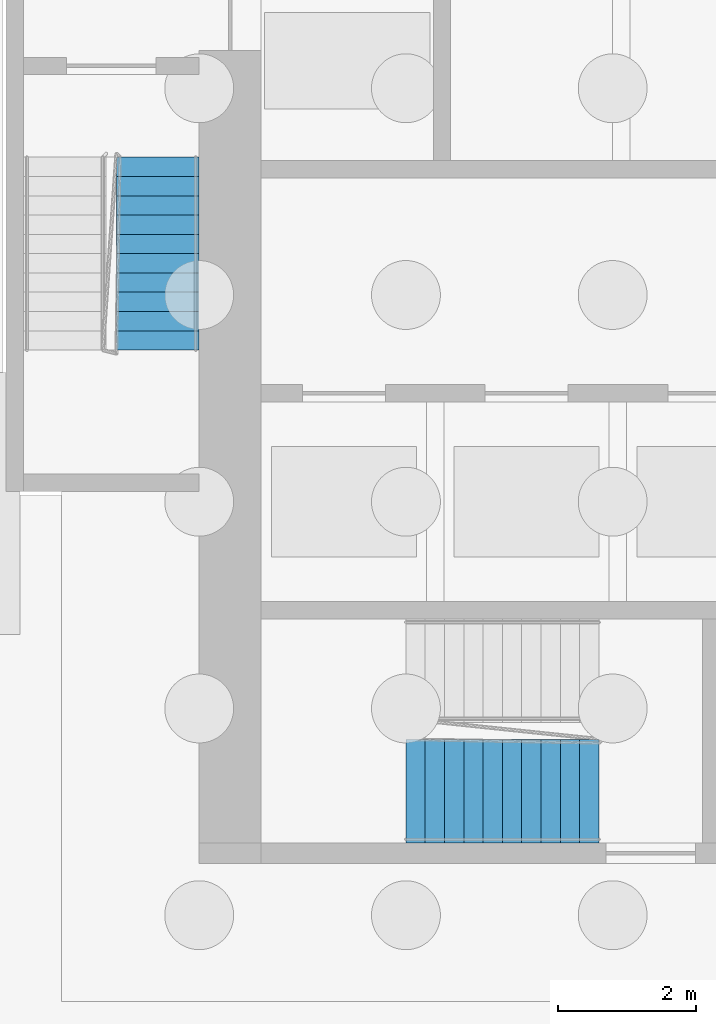
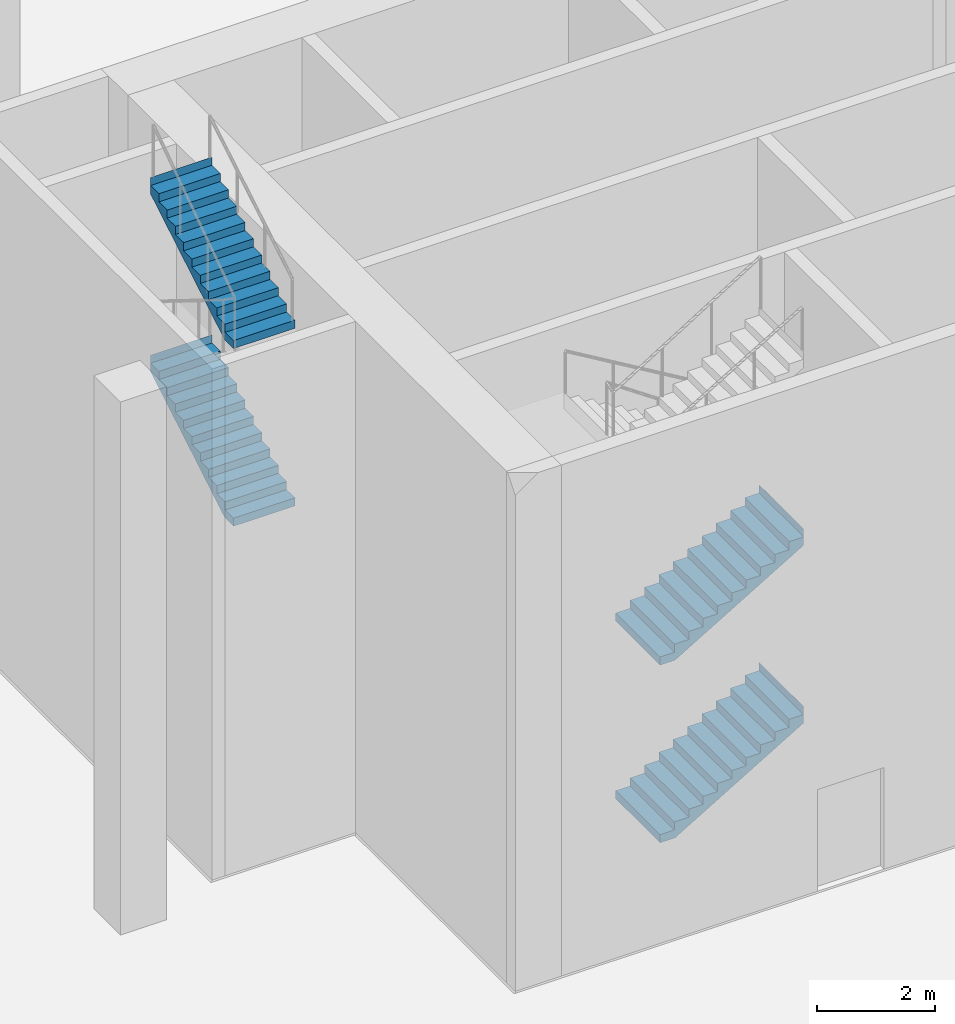
# One storey, part 11 of 26: 4 stair flights, 2 elements without a shape of their own.
"""IFC4 building model written with IfcOpenShell, lengths in metres."""

from ifc_helpers import new_model, si_unit, direction, frame, origin, place, context, subcontext, project, spatial, faceted_brep, material, type_object, element, aggregate, save


model = new_model("IFC4")

# Units and contexts
model_context = context("Model", 3, precision=1e-05, world=origin(), true_north=direction((0.0, 1.0)))
body_context = subcontext(model_context, "Body", "Model", "MODEL_VIEW")
ifc_project = project(units=[si_unit("LENGTHUNIT", "METRE"), si_unit("AREAUNIT", "SQUARE_METRE"), si_unit("VOLUMEUNIT", "CUBIC_METRE"), si_unit("PLANEANGLEUNIT", "RADIAN"), si_unit("MASSUNIT", "GRAM", prefix="KILO")], contexts=[model_context])

# Site, building, storey
site_placement = place(None, origin())
site = spatial("IfcSite", under=ifc_project, at=site_placement, CompositionType="ELEMENT")
building_placement = place(site_placement, origin())
building = spatial("IfcBuilding", under=site, at=building_placement, Name="Kajstack Hotel Tower", CompositionType="ELEMENT")
storey_placement = place(building_placement, origin())
storey = spatial("IfcBuildingStorey", under=building, at=storey_placement, Name="L00", CompositionType="ELEMENT", Elevation=0.0)

# Stair, stair flights
ifc_material = material(Name="Concrete C40/50", Category="concrete")
stair_type_1 = type_object("IfcStairType", Name="Exit stair 1200", PredefinedType="HALF_TURN_STAIR", material=ifc_material)
stair_1_placement = place(storey_placement, origin())
stair_1 = element("IfcStair", 1, at=stair_1_placement, inside=storey, type_object=stair_type_1, Name="L00 stair W1", PredefinedType="HALF_TURN_STAIR")
stair_flight_type_1 = type_object("IfcStairFlightType", Name="Exit stair flight 1200", PredefinedType="STRAIGHT", material=ifc_material)
stair_flight_1_placement = place(storey_placement, frame((-32.10009765625, -8.050048828125, 5.5), z_axis=(0.0, 0.0, 1.0), x_axis=(0.0, 1.0, 0.0)))
stair_flight_1 = element("IfcStairFlight", 2, at=stair_flight_1_placement, type_object=stair_flight_type_1, Name="W1 flight 4", NumberOfRisers=11, NumberOfTreads=10, PredefinedType="STRAIGHT", RiserHeight=0.166666667, TreadLength=0.28, context=body_context, shape_type="Brep", body=[
    faceted_brep([(0.29345703125, -0.60009765625, 0.0), (2.800537109375, -0.60009765625, 1.4921875), (2.800537109375, -0.60009765625, 1.833251953125), (2.800048828125, -0.60009765625, 1.833251953125), (2.800048828125, -0.60009765625, 1.666748046875), (2.52001953125, -0.60009765625, 1.666748046875), (2.52001953125, -0.60009765625, 1.5), (2.239990234375, -0.60009765625, 1.5), (2.239990234375, -0.60009765625, 1.333251953125), (1.9599609375, -0.60009765625, 1.333251953125), (1.9599609375, -0.60009765625, 1.166748046875), (1.679931640625, -0.60009765625, 1.166748046875), (1.679931640625, -0.60009765625, 1.0), (1.39990234375, -0.60009765625, 1.0), (1.39990234375, -0.60009765625, 0.833251953125), (1.1201171875, -0.60009765625, 0.833251953125), (1.1201171875, -0.60009765625, 0.666748046875), (0.840087890625, -0.60009765625, 0.666748046875), (0.840087890625, -0.60009765625, 0.5), (0.56005859375, -0.60009765625, 0.5), (0.56005859375, -0.60009765625, 0.333251953125), (0.280029296875, -0.60009765625, 0.333251953125), (0.280029296875, -0.60009765625, 0.166748046875), (-0.00048828125, -0.60009765625, 0.166748046875), (-0.00048828125, -0.60009765625, 0.0), (-0.00048828125, 0.60009765625, 0.0), (-0.00048828125, 0.60009765625, 0.166748046875), (0.280029296875, 0.60009765625, 0.166748046875), (0.280029296875, 0.60009765625, 0.333251953125), (0.56005859375, 0.60009765625, 0.333251953125), (0.56005859375, 0.60009765625, 0.5), (0.840087890625, 0.60009765625, 0.5), (0.840087890625, 0.60009765625, 0.666748046875), (1.1201171875, 0.60009765625, 0.666748046875), (1.1201171875, 0.60009765625, 0.833251953125), (1.39990234375, 0.60009765625, 0.833251953125), (1.39990234375, 0.60009765625, 1.0), (1.679931640625, 0.60009765625, 1.0), (1.679931640625, 0.60009765625, 1.166748046875), (1.9599609375, 0.60009765625, 1.166748046875), (1.9599609375, 0.60009765625, 1.333251953125), (2.239990234375, 0.60009765625, 1.333251953125), (2.239990234375, 0.60009765625, 1.5), (2.52001953125, 0.60009765625, 1.5), (2.52001953125, 0.60009765625, 1.666748046875), (2.800048828125, 0.60009765625, 1.666748046875), (2.800048828125, 0.60009765625, 1.833251953125), (2.800537109375, 0.60009765625, 1.833251953125), (2.800537109375, 0.60009765625, 1.4921875), (0.29345703125, 0.60009765625, 0.0), (-0.00048828125, -0.300048828125, 0.166748046875), (-0.00048828125, 0.0, 0.166748046875), (-0.00048828125, 0.300048828125, 0.166748046875), (-0.00048828125, 0.300048828125, 0.0), (-0.00048828125, 0.0, 0.0), (-0.00048828125, -0.300048828125, 0.0), (0.280029296875, -0.300048828125, 0.166748046875), (0.280029296875, 0.0, 0.166748046875), (0.280029296875, 0.300048828125, 0.166748046875), (0.280029296875, -0.300048828125, 0.333251953125), (0.280029296875, 0.0, 0.333251953125), (0.280029296875, 0.300048828125, 0.333251953125), (0.56005859375, -0.300048828125, 0.333251953125), (0.56005859375, 0.0, 0.333251953125), (0.56005859375, 0.300048828125, 0.333251953125), (0.56005859375, -0.300048828125, 0.5), (0.56005859375, 0.0, 0.5), (0.56005859375, 0.300048828125, 0.5), (0.840087890625, -0.300048828125, 0.5), (0.840087890625, 0.0, 0.5), (0.840087890625, 0.300048828125, 0.5), (0.840087890625, -0.300048828125, 0.666748046875), (0.840087890625, 0.0, 0.666748046875), (0.840087890625, 0.300048828125, 0.666748046875), (1.1201171875, -0.300048828125, 0.666748046875), (1.1201171875, 0.0, 0.666748046875), (1.1201171875, 0.300048828125, 0.666748046875), (1.1201171875, -0.300048828125, 0.833251953125), (1.1201171875, 0.0, 0.833251953125), (1.1201171875, 0.300048828125, 0.833251953125), (1.39990234375, -0.300048828125, 0.833251953125), (1.39990234375, 0.0, 0.833251953125), (1.39990234375, 0.300048828125, 0.833251953125), (1.39990234375, -0.300048828125, 1.0), (1.39990234375, 0.0, 1.0), (1.39990234375, 0.300048828125, 1.0), (1.679931640625, -0.300048828125, 1.0), (1.679931640625, 0.0, 1.0), (1.679931640625, 0.300048828125, 1.0), (1.679931640625, -0.300048828125, 1.166748046875), (1.679931640625, 0.0, 1.166748046875), (1.679931640625, 0.300048828125, 1.166748046875), (1.9599609375, -0.300048828125, 1.166748046875), (1.9599609375, 0.0, 1.166748046875), (1.9599609375, 0.300048828125, 1.166748046875), (1.9599609375, -0.300048828125, 1.333251953125), (1.9599609375, 0.0, 1.333251953125), (1.9599609375, 0.300048828125, 1.333251953125), (2.239990234375, -0.300048828125, 1.333251953125), (2.239990234375, 0.0, 1.333251953125), (2.239990234375, 0.300048828125, 1.333251953125), (2.239990234375, -0.300048828125, 1.5), (2.239990234375, 0.0, 1.5), (2.239990234375, 0.300048828125, 1.5), (2.52001953125, -0.300048828125, 1.5), (2.52001953125, 0.0, 1.5), (2.52001953125, 0.300048828125, 1.5), (2.52001953125, -0.300048828125, 1.666748046875), (2.52001953125, 0.0, 1.666748046875), (2.52001953125, 0.300048828125, 1.666748046875), (2.800048828125, -0.300048828125, 1.666748046875), (2.800048828125, 0.0, 1.666748046875), (2.800048828125, 0.300048828125, 1.666748046875), (2.800048828125, -0.300048828125, 1.833251953125), (2.800048828125, 0.0, 1.833251953125), (2.800048828125, 0.300048828125, 1.833251953125), (2.800537109375, -0.300048828125, 1.833251953125), (2.800537109375, 0.0, 1.833251953125), (2.800537109375, 0.300048828125, 1.833251953125), (2.800537109375, -0.300048828125, 1.4921875), (2.800537109375, 0.0, 1.4921875), (2.800537109375, 0.300048828125, 1.4921875), (0.29345703125, -0.300048828125, 0.0), (0.29345703125, 0.0, 0.0), (0.29345703125, 0.300048828125, 0.0)], [[[0, 1, 2, 3, 4, 5, 6, 7, 8, 9, 10, 11, 12, 13, 14, 15, 16, 17, 18, 19, 20, 21, 22, 23, 24]], [[25, 26, 27, 28, 29, 30, 31, 32, 33, 34, 35, 36, 37, 38, 39, 40, 41, 42, 43, 44, 45, 46, 47, 48, 49]], [[23, 50, 51, 52, 26, 25, 53, 54, 55, 24]], [[22, 56, 57, 58, 27, 26, 52, 51, 50, 23]], [[21, 59, 60, 61, 28, 27, 58, 57, 56, 22]], [[20, 62, 63, 64, 29, 28, 61, 60, 59, 21]], [[19, 65, 66, 67, 30, 29, 64, 63, 62, 20]], [[18, 68, 69, 70, 31, 30, 67, 66, 65, 19]], [[17, 71, 72, 73, 32, 31, 70, 69, 68, 18]], [[16, 74, 75, 76, 33, 32, 73, 72, 71, 17]], [[15, 77, 78, 79, 34, 33, 76, 75, 74, 16]], [[14, 80, 81, 82, 35, 34, 79, 78, 77, 15]], [[13, 83, 84, 85, 36, 35, 82, 81, 80, 14]], [[12, 86, 87, 88, 37, 36, 85, 84, 83, 13]], [[11, 89, 90, 91, 38, 37, 88, 87, 86, 12]], [[10, 92, 93, 94, 39, 38, 91, 90, 89, 11]], [[9, 95, 96, 97, 40, 39, 94, 93, 92, 10]], [[8, 98, 99, 100, 41, 40, 97, 96, 95, 9]], [[7, 101, 102, 103, 42, 41, 100, 99, 98, 8]], [[6, 104, 105, 106, 43, 42, 103, 102, 101, 7]], [[5, 107, 108, 109, 44, 43, 106, 105, 104, 6]], [[4, 110, 111, 112, 45, 44, 109, 108, 107, 5]], [[3, 113, 114, 115, 46, 45, 112, 111, 110, 4]], [[2, 116, 117, 118, 47, 46, 115, 114, 113, 3]], [[1, 119, 120, 121, 48, 47, 118, 117, 116, 2]], [[0, 122, 123, 124, 49, 48, 121, 120, 119, 1]], [[24, 55, 54, 53, 25, 49, 124, 123, 122, 0]]]),
])
stair_flight_2_placement = place(storey_placement, frame((-32.10009765625, -8.050048828125, 9.166748046875), z_axis=(0.0, 0.0, 1.0), x_axis=(0.0, 1.0, 0.0)))
stair_flight_2 = element("IfcStairFlight", 3, at=stair_flight_2_placement, type_object=stair_flight_type_1, Name="W1 flight 6", NumberOfRisers=11, NumberOfTreads=10, PredefinedType="STRAIGHT", RiserHeight=0.166666667, TreadLength=0.28, context=body_context, shape_type="Brep", body=[
    faceted_brep([(0.29345703125, -0.60009765625, 0.0), (2.800537109375, -0.60009765625, 1.4921875), (2.800537109375, -0.60009765625, 1.833251953125), (2.800048828125, -0.60009765625, 1.833251953125), (2.800048828125, -0.60009765625, 1.666748046875), (2.52001953125, -0.60009765625, 1.666748046875), (2.52001953125, -0.60009765625, 1.5), (2.239990234375, -0.60009765625, 1.5), (2.239990234375, -0.60009765625, 1.333251953125), (1.9599609375, -0.60009765625, 1.333251953125), (1.9599609375, -0.60009765625, 1.166748046875), (1.679931640625, -0.60009765625, 1.166748046875), (1.679931640625, -0.60009765625, 1.0), (1.39990234375, -0.60009765625, 1.0), (1.39990234375, -0.60009765625, 0.833251953125), (1.1201171875, -0.60009765625, 0.833251953125), (1.1201171875, -0.60009765625, 0.666748046875), (0.840087890625, -0.60009765625, 0.666748046875), (0.840087890625, -0.60009765625, 0.5), (0.56005859375, -0.60009765625, 0.5), (0.56005859375, -0.60009765625, 0.333251953125), (0.280029296875, -0.60009765625, 0.333251953125), (0.280029296875, -0.60009765625, 0.166748046875), (-0.00048828125, -0.60009765625, 0.166748046875), (-0.00048828125, -0.60009765625, 0.0), (-0.00048828125, 0.60009765625, 0.0), (-0.00048828125, 0.60009765625, 0.166748046875), (0.280029296875, 0.60009765625, 0.166748046875), (0.280029296875, 0.60009765625, 0.333251953125), (0.56005859375, 0.60009765625, 0.333251953125), (0.56005859375, 0.60009765625, 0.5), (0.840087890625, 0.60009765625, 0.5), (0.840087890625, 0.60009765625, 0.666748046875), (1.1201171875, 0.60009765625, 0.666748046875), (1.1201171875, 0.60009765625, 0.833251953125), (1.39990234375, 0.60009765625, 0.833251953125), (1.39990234375, 0.60009765625, 1.0), (1.679931640625, 0.60009765625, 1.0), (1.679931640625, 0.60009765625, 1.166748046875), (1.9599609375, 0.60009765625, 1.166748046875), (1.9599609375, 0.60009765625, 1.333251953125), (2.239990234375, 0.60009765625, 1.333251953125), (2.239990234375, 0.60009765625, 1.5), (2.52001953125, 0.60009765625, 1.5), (2.52001953125, 0.60009765625, 1.666748046875), (2.800048828125, 0.60009765625, 1.666748046875), (2.800048828125, 0.60009765625, 1.833251953125), (2.800537109375, 0.60009765625, 1.833251953125), (2.800537109375, 0.60009765625, 1.4921875), (0.29345703125, 0.60009765625, 0.0), (-0.00048828125, -0.300048828125, 0.166748046875), (-0.00048828125, 0.0, 0.166748046875), (-0.00048828125, 0.300048828125, 0.166748046875), (-0.00048828125, 0.300048828125, 0.0), (-0.00048828125, 0.0, 0.0), (-0.00048828125, -0.300048828125, 0.0), (0.280029296875, -0.300048828125, 0.166748046875), (0.280029296875, 0.0, 0.166748046875), (0.280029296875, 0.300048828125, 0.166748046875), (0.280029296875, -0.300048828125, 0.333251953125), (0.280029296875, 0.0, 0.333251953125), (0.280029296875, 0.300048828125, 0.333251953125), (0.56005859375, -0.300048828125, 0.333251953125), (0.56005859375, 0.0, 0.333251953125), (0.56005859375, 0.300048828125, 0.333251953125), (0.56005859375, -0.300048828125, 0.5), (0.56005859375, 0.0, 0.5), (0.56005859375, 0.300048828125, 0.5), (0.840087890625, -0.300048828125, 0.5), (0.840087890625, 0.0, 0.5), (0.840087890625, 0.300048828125, 0.5), (0.840087890625, -0.300048828125, 0.666748046875), (0.840087890625, 0.0, 0.666748046875), (0.840087890625, 0.300048828125, 0.666748046875), (1.1201171875, -0.300048828125, 0.666748046875), (1.1201171875, 0.0, 0.666748046875), (1.1201171875, 0.300048828125, 0.666748046875), (1.1201171875, -0.300048828125, 0.833251953125), (1.1201171875, 0.0, 0.833251953125), (1.1201171875, 0.300048828125, 0.833251953125), (1.39990234375, -0.300048828125, 0.833251953125), (1.39990234375, 0.0, 0.833251953125), (1.39990234375, 0.300048828125, 0.833251953125), (1.39990234375, -0.300048828125, 1.0), (1.39990234375, 0.0, 1.0), (1.39990234375, 0.300048828125, 1.0), (1.679931640625, -0.300048828125, 1.0), (1.679931640625, 0.0, 1.0), (1.679931640625, 0.300048828125, 1.0), (1.679931640625, -0.300048828125, 1.166748046875), (1.679931640625, 0.0, 1.166748046875), (1.679931640625, 0.300048828125, 1.166748046875), (1.9599609375, -0.300048828125, 1.166748046875), (1.9599609375, 0.0, 1.166748046875), (1.9599609375, 0.300048828125, 1.166748046875), (1.9599609375, -0.300048828125, 1.333251953125), (1.9599609375, 0.0, 1.333251953125), (1.9599609375, 0.300048828125, 1.333251953125), (2.239990234375, -0.300048828125, 1.333251953125), (2.239990234375, 0.0, 1.333251953125), (2.239990234375, 0.300048828125, 1.333251953125), (2.239990234375, -0.300048828125, 1.5), (2.239990234375, 0.0, 1.5), (2.239990234375, 0.300048828125, 1.5), (2.52001953125, -0.300048828125, 1.5), (2.52001953125, 0.0, 1.5), (2.52001953125, 0.300048828125, 1.5), (2.52001953125, -0.300048828125, 1.666748046875), (2.52001953125, 0.0, 1.666748046875), (2.52001953125, 0.300048828125, 1.666748046875), (2.800048828125, -0.300048828125, 1.666748046875), (2.800048828125, 0.0, 1.666748046875), (2.800048828125, 0.300048828125, 1.666748046875), (2.800048828125, -0.300048828125, 1.833251953125), (2.800048828125, 0.0, 1.833251953125), (2.800048828125, 0.300048828125, 1.833251953125), (2.800537109375, -0.300048828125, 1.833251953125), (2.800537109375, 0.0, 1.833251953125), (2.800537109375, 0.300048828125, 1.833251953125), (2.800537109375, -0.300048828125, 1.4921875), (2.800537109375, 0.0, 1.4921875), (2.800537109375, 0.300048828125, 1.4921875), (0.29345703125, -0.300048828125, 0.0), (0.29345703125, 0.0, 0.0), (0.29345703125, 0.300048828125, 0.0)], [[[0, 1, 2, 3, 4, 5, 6, 7, 8, 9, 10, 11, 12, 13, 14, 15, 16, 17, 18, 19, 20, 21, 22, 23, 24]], [[25, 26, 27, 28, 29, 30, 31, 32, 33, 34, 35, 36, 37, 38, 39, 40, 41, 42, 43, 44, 45, 46, 47, 48, 49]], [[23, 50, 51, 52, 26, 25, 53, 54, 55, 24]], [[22, 56, 57, 58, 27, 26, 52, 51, 50, 23]], [[21, 59, 60, 61, 28, 27, 58, 57, 56, 22]], [[20, 62, 63, 64, 29, 28, 61, 60, 59, 21]], [[19, 65, 66, 67, 30, 29, 64, 63, 62, 20]], [[18, 68, 69, 70, 31, 30, 67, 66, 65, 19]], [[17, 71, 72, 73, 32, 31, 70, 69, 68, 18]], [[16, 74, 75, 76, 33, 32, 73, 72, 71, 17]], [[15, 77, 78, 79, 34, 33, 76, 75, 74, 16]], [[14, 80, 81, 82, 35, 34, 79, 78, 77, 15]], [[13, 83, 84, 85, 36, 35, 82, 81, 80, 14]], [[12, 86, 87, 88, 37, 36, 85, 84, 83, 13]], [[11, 89, 90, 91, 38, 37, 88, 87, 86, 12]], [[10, 92, 93, 94, 39, 38, 91, 90, 89, 11]], [[9, 95, 96, 97, 40, 39, 94, 93, 92, 10]], [[8, 98, 99, 100, 41, 40, 97, 96, 95, 9]], [[7, 101, 102, 103, 42, 41, 100, 99, 98, 8]], [[6, 104, 105, 106, 43, 42, 103, 102, 101, 7]], [[5, 107, 108, 109, 44, 43, 106, 105, 104, 6]], [[4, 110, 111, 112, 45, 44, 109, 108, 107, 5]], [[3, 113, 114, 115, 46, 45, 112, 111, 110, 4]], [[2, 116, 117, 118, 47, 46, 115, 114, 113, 3]], [[1, 119, 120, 121, 48, 47, 118, 117, 116, 2]], [[0, 122, 123, 124, 49, 48, 121, 120, 119, 1]], [[24, 55, 54, 53, 25, 49, 124, 123, 122, 0]]]),
])
aggregate(stair_1, [stair_flight_1, stair_flight_2])

stair_type_2 = type_object("IfcStairType", Name="Exit stair 1500", PredefinedType="HALF_TURN_STAIR", material=ifc_material)
stair_2_placement = place(storey_placement, origin())
stair_2 = element("IfcStair", 4, at=stair_2_placement, inside=storey, type_object=stair_type_2, Name="L00 stair W3", PredefinedType="HALF_TURN_STAIR")
stair_flight_type_2 = type_object("IfcStairFlightType", Name="Exit stair flight 1500", PredefinedType="STRAIGHT", material=ifc_material)
stair_flight_3_placement = place(storey_placement, frame((-28.5, -14.449951171875, 1.833251953125), z_axis=(0.0, 0.0, 1.0), x_axis=(1.0, 0.0, 0.0)))
stair_flight_3 = element("IfcStairFlight", 5, at=stair_flight_3_placement, type_object=stair_flight_type_2, Name="W3 flight 2", NumberOfRisers=11, NumberOfTreads=10, PredefinedType="STRAIGHT", RiserHeight=0.166666667, TreadLength=0.28, context=body_context, shape_type="Brep", body=[
    faceted_brep([(0.29345703125, -0.75, 0.0), (2.800537109375, -0.75, 1.4921875), (2.800537109375, -0.75, 1.833251953125), (2.800048828125, -0.75, 1.833251953125), (2.800048828125, -0.75, 1.666748046875), (2.52001953125, -0.75, 1.666748046875), (2.52001953125, -0.75, 1.5), (2.239990234375, -0.75, 1.5), (2.239990234375, -0.75, 1.333251953125), (1.9599609375, -0.75, 1.333251953125), (1.9599609375, -0.75, 1.166748046875), (1.679931640625, -0.75, 1.166748046875), (1.679931640625, -0.75, 1.0), (1.39990234375, -0.75, 1.0), (1.39990234375, -0.75, 0.833251953125), (1.1201171875, -0.75, 0.833251953125), (1.1201171875, -0.75, 0.666748046875), (0.840087890625, -0.75, 0.666748046875), (0.840087890625, -0.75, 0.5), (0.56005859375, -0.75, 0.5), (0.56005859375, -0.75, 0.333251953125), (0.280029296875, -0.75, 0.333251953125), (0.280029296875, -0.75, 0.166748046875), (-0.00048828125, -0.75, 0.166748046875), (-0.00048828125, -0.75, 0.0), (-0.00048828125, 0.75, 0.0), (-0.00048828125, 0.75, 0.166748046875), (0.280029296875, 0.75, 0.166748046875), (0.280029296875, 0.75, 0.333251953125), (0.56005859375, 0.75, 0.333251953125), (0.56005859375, 0.75, 0.5), (0.840087890625, 0.75, 0.5), (0.840087890625, 0.75, 0.666748046875), (1.1201171875, 0.75, 0.666748046875), (1.1201171875, 0.75, 0.833251953125), (1.39990234375, 0.75, 0.833251953125), (1.39990234375, 0.75, 1.0), (1.679931640625, 0.75, 1.0), (1.679931640625, 0.75, 1.166748046875), (1.9599609375, 0.75, 1.166748046875), (1.9599609375, 0.75, 1.333251953125), (2.239990234375, 0.75, 1.333251953125), (2.239990234375, 0.75, 1.5), (2.52001953125, 0.75, 1.5), (2.52001953125, 0.75, 1.666748046875), (2.800048828125, 0.75, 1.666748046875), (2.800048828125, 0.75, 1.833251953125), (2.800537109375, 0.75, 1.833251953125), (2.800537109375, 0.75, 1.4921875), (0.29345703125, 0.75, 0.0), (-0.00048828125, -0.375, 0.166748046875), (-0.00048828125, 0.0, 0.166748046875), (-0.00048828125, 0.375, 0.166748046875), (-0.00048828125, 0.375, 0.0), (-0.00048828125, 0.0, 0.0), (-0.00048828125, -0.375, 0.0), (0.280029296875, -0.375, 0.166748046875), (0.280029296875, 0.0, 0.166748046875), (0.280029296875, 0.375, 0.166748046875), (0.280029296875, -0.375, 0.333251953125), (0.280029296875, 0.0, 0.333251953125), (0.280029296875, 0.375, 0.333251953125), (0.56005859375, -0.375, 0.333251953125), (0.56005859375, 0.0, 0.333251953125), (0.56005859375, 0.375, 0.333251953125), (0.56005859375, -0.375, 0.5), (0.56005859375, 0.0, 0.5), (0.56005859375, 0.375, 0.5), (0.840087890625, -0.375, 0.5), (0.840087890625, 0.0, 0.5), (0.840087890625, 0.375, 0.5), (0.840087890625, -0.375, 0.666748046875), (0.840087890625, 0.0, 0.666748046875), (0.840087890625, 0.375, 0.666748046875), (1.1201171875, -0.375, 0.666748046875), (1.1201171875, 0.0, 0.666748046875), (1.1201171875, 0.375, 0.666748046875), (1.1201171875, -0.375, 0.833251953125), (1.1201171875, 0.0, 0.833251953125), (1.1201171875, 0.375, 0.833251953125), (1.39990234375, -0.375, 0.833251953125), (1.39990234375, 0.0, 0.833251953125), (1.39990234375, 0.375, 0.833251953125), (1.39990234375, -0.375, 1.0), (1.39990234375, 0.0, 1.0), (1.39990234375, 0.375, 1.0), (1.679931640625, -0.375, 1.0), (1.679931640625, 0.0, 1.0), (1.679931640625, 0.375, 1.0), (1.679931640625, -0.375, 1.166748046875), (1.679931640625, 0.0, 1.166748046875), (1.679931640625, 0.375, 1.166748046875), (1.9599609375, -0.375, 1.166748046875), (1.9599609375, 0.0, 1.166748046875), (1.9599609375, 0.375, 1.166748046875), (1.9599609375, -0.375, 1.333251953125), (1.9599609375, 0.0, 1.333251953125), (1.9599609375, 0.375, 1.333251953125), (2.239990234375, -0.375, 1.333251953125), (2.239990234375, 0.0, 1.333251953125), (2.239990234375, 0.375, 1.333251953125), (2.239990234375, -0.375, 1.5), (2.239990234375, 0.0, 1.5), (2.239990234375, 0.375, 1.5), (2.52001953125, -0.375, 1.5), (2.52001953125, 0.0, 1.5), (2.52001953125, 0.375, 1.5), (2.52001953125, -0.375, 1.666748046875), (2.52001953125, 0.0, 1.666748046875), (2.52001953125, 0.375, 1.666748046875), (2.800048828125, -0.375, 1.666748046875), (2.800048828125, 0.0, 1.666748046875), (2.800048828125, 0.375, 1.666748046875), (2.800048828125, -0.375, 1.833251953125), (2.800048828125, 0.0, 1.833251953125), (2.800048828125, 0.375, 1.833251953125), (2.800537109375, -0.375, 1.833251953125), (2.800537109375, 0.0, 1.833251953125), (2.800537109375, 0.375, 1.833251953125), (2.800537109375, -0.375, 1.4921875), (2.800537109375, 0.0, 1.4921875), (2.800537109375, 0.375, 1.4921875), (0.29345703125, -0.375, 0.0), (0.29345703125, 0.0, 0.0), (0.29345703125, 0.375, 0.0)], [[[0, 1, 2, 3, 4, 5, 6, 7, 8, 9, 10, 11, 12, 13, 14, 15, 16, 17, 18, 19, 20, 21, 22, 23, 24]], [[25, 26, 27, 28, 29, 30, 31, 32, 33, 34, 35, 36, 37, 38, 39, 40, 41, 42, 43, 44, 45, 46, 47, 48, 49]], [[23, 50, 51, 52, 26, 25, 53, 54, 55, 24]], [[22, 56, 57, 58, 27, 26, 52, 51, 50, 23]], [[21, 59, 60, 61, 28, 27, 58, 57, 56, 22]], [[20, 62, 63, 64, 29, 28, 61, 60, 59, 21]], [[19, 65, 66, 67, 30, 29, 64, 63, 62, 20]], [[18, 68, 69, 70, 31, 30, 67, 66, 65, 19]], [[17, 71, 72, 73, 32, 31, 70, 69, 68, 18]], [[16, 74, 75, 76, 33, 32, 73, 72, 71, 17]], [[15, 77, 78, 79, 34, 33, 76, 75, 74, 16]], [[14, 80, 81, 82, 35, 34, 79, 78, 77, 15]], [[13, 83, 84, 85, 36, 35, 82, 81, 80, 14]], [[12, 86, 87, 88, 37, 36, 85, 84, 83, 13]], [[11, 89, 90, 91, 38, 37, 88, 87, 86, 12]], [[10, 92, 93, 94, 39, 38, 91, 90, 89, 11]], [[9, 95, 96, 97, 40, 39, 94, 93, 92, 10]], [[8, 98, 99, 100, 41, 40, 97, 96, 95, 9]], [[7, 101, 102, 103, 42, 41, 100, 99, 98, 8]], [[6, 104, 105, 106, 43, 42, 103, 102, 101, 7]], [[5, 107, 108, 109, 44, 43, 106, 105, 104, 6]], [[4, 110, 111, 112, 45, 44, 109, 108, 107, 5]], [[3, 113, 114, 115, 46, 45, 112, 111, 110, 4]], [[2, 116, 117, 118, 47, 46, 115, 114, 113, 3]], [[1, 119, 120, 121, 48, 47, 118, 117, 116, 2]], [[0, 122, 123, 124, 49, 48, 121, 120, 119, 1]], [[24, 55, 54, 53, 25, 49, 124, 123, 122, 0]]]),
])
stair_flight_4_placement = place(storey_placement, frame((-28.5, -14.449951171875, 5.5), z_axis=(0.0, 0.0, 1.0), x_axis=(1.0, 0.0, 0.0)))
stair_flight_4 = element("IfcStairFlight", 6, at=stair_flight_4_placement, type_object=stair_flight_type_2, Name="W3 flight 4", NumberOfRisers=11, NumberOfTreads=10, PredefinedType="STRAIGHT", RiserHeight=0.166666667, TreadLength=0.28, context=body_context, shape_type="Brep", body=[
    faceted_brep([(0.29345703125, -0.75, 0.0), (2.800537109375, -0.75, 1.4921875), (2.800537109375, -0.75, 1.833251953125), (2.800048828125, -0.75, 1.833251953125), (2.800048828125, -0.75, 1.666748046875), (2.52001953125, -0.75, 1.666748046875), (2.52001953125, -0.75, 1.5), (2.239990234375, -0.75, 1.5), (2.239990234375, -0.75, 1.333251953125), (1.9599609375, -0.75, 1.333251953125), (1.9599609375, -0.75, 1.166748046875), (1.679931640625, -0.75, 1.166748046875), (1.679931640625, -0.75, 1.0), (1.39990234375, -0.75, 1.0), (1.39990234375, -0.75, 0.833251953125), (1.1201171875, -0.75, 0.833251953125), (1.1201171875, -0.75, 0.666748046875), (0.840087890625, -0.75, 0.666748046875), (0.840087890625, -0.75, 0.5), (0.56005859375, -0.75, 0.5), (0.56005859375, -0.75, 0.333251953125), (0.280029296875, -0.75, 0.333251953125), (0.280029296875, -0.75, 0.166748046875), (-0.00048828125, -0.75, 0.166748046875), (-0.00048828125, -0.75, 0.0), (-0.00048828125, 0.75, 0.0), (-0.00048828125, 0.75, 0.166748046875), (0.280029296875, 0.75, 0.166748046875), (0.280029296875, 0.75, 0.333251953125), (0.56005859375, 0.75, 0.333251953125), (0.56005859375, 0.75, 0.5), (0.840087890625, 0.75, 0.5), (0.840087890625, 0.75, 0.666748046875), (1.1201171875, 0.75, 0.666748046875), (1.1201171875, 0.75, 0.833251953125), (1.39990234375, 0.75, 0.833251953125), (1.39990234375, 0.75, 1.0), (1.679931640625, 0.75, 1.0), (1.679931640625, 0.75, 1.166748046875), (1.9599609375, 0.75, 1.166748046875), (1.9599609375, 0.75, 1.333251953125), (2.239990234375, 0.75, 1.333251953125), (2.239990234375, 0.75, 1.5), (2.52001953125, 0.75, 1.5), (2.52001953125, 0.75, 1.666748046875), (2.800048828125, 0.75, 1.666748046875), (2.800048828125, 0.75, 1.833251953125), (2.800537109375, 0.75, 1.833251953125), (2.800537109375, 0.75, 1.4921875), (0.29345703125, 0.75, 0.0), (-0.00048828125, -0.375, 0.166748046875), (-0.00048828125, 0.0, 0.166748046875), (-0.00048828125, 0.375, 0.166748046875), (-0.00048828125, 0.375, 0.0), (-0.00048828125, 0.0, 0.0), (-0.00048828125, -0.375, 0.0), (0.280029296875, -0.375, 0.166748046875), (0.280029296875, 0.0, 0.166748046875), (0.280029296875, 0.375, 0.166748046875), (0.280029296875, -0.375, 0.333251953125), (0.280029296875, 0.0, 0.333251953125), (0.280029296875, 0.375, 0.333251953125), (0.56005859375, -0.375, 0.333251953125), (0.56005859375, 0.0, 0.333251953125), (0.56005859375, 0.375, 0.333251953125), (0.56005859375, -0.375, 0.5), (0.56005859375, 0.0, 0.5), (0.56005859375, 0.375, 0.5), (0.840087890625, -0.375, 0.5), (0.840087890625, 0.0, 0.5), (0.840087890625, 0.375, 0.5), (0.840087890625, -0.375, 0.666748046875), (0.840087890625, 0.0, 0.666748046875), (0.840087890625, 0.375, 0.666748046875), (1.1201171875, -0.375, 0.666748046875), (1.1201171875, 0.0, 0.666748046875), (1.1201171875, 0.375, 0.666748046875), (1.1201171875, -0.375, 0.833251953125), (1.1201171875, 0.0, 0.833251953125), (1.1201171875, 0.375, 0.833251953125), (1.39990234375, -0.375, 0.833251953125), (1.39990234375, 0.0, 0.833251953125), (1.39990234375, 0.375, 0.833251953125), (1.39990234375, -0.375, 1.0), (1.39990234375, 0.0, 1.0), (1.39990234375, 0.375, 1.0), (1.679931640625, -0.375, 1.0), (1.679931640625, 0.0, 1.0), (1.679931640625, 0.375, 1.0), (1.679931640625, -0.375, 1.166748046875), (1.679931640625, 0.0, 1.166748046875), (1.679931640625, 0.375, 1.166748046875), (1.9599609375, -0.375, 1.166748046875), (1.9599609375, 0.0, 1.166748046875), (1.9599609375, 0.375, 1.166748046875), (1.9599609375, -0.375, 1.333251953125), (1.9599609375, 0.0, 1.333251953125), (1.9599609375, 0.375, 1.333251953125), (2.239990234375, -0.375, 1.333251953125), (2.239990234375, 0.0, 1.333251953125), (2.239990234375, 0.375, 1.333251953125), (2.239990234375, -0.375, 1.5), (2.239990234375, 0.0, 1.5), (2.239990234375, 0.375, 1.5), (2.52001953125, -0.375, 1.5), (2.52001953125, 0.0, 1.5), (2.52001953125, 0.375, 1.5), (2.52001953125, -0.375, 1.666748046875), (2.52001953125, 0.0, 1.666748046875), (2.52001953125, 0.375, 1.666748046875), (2.800048828125, -0.375, 1.666748046875), (2.800048828125, 0.0, 1.666748046875), (2.800048828125, 0.375, 1.666748046875), (2.800048828125, -0.375, 1.833251953125), (2.800048828125, 0.0, 1.833251953125), (2.800048828125, 0.375, 1.833251953125), (2.800537109375, -0.375, 1.833251953125), (2.800537109375, 0.0, 1.833251953125), (2.800537109375, 0.375, 1.833251953125), (2.800537109375, -0.375, 1.4921875), (2.800537109375, 0.0, 1.4921875), (2.800537109375, 0.375, 1.4921875), (0.29345703125, -0.375, 0.0), (0.29345703125, 0.0, 0.0), (0.29345703125, 0.375, 0.0)], [[[0, 1, 2, 3, 4, 5, 6, 7, 8, 9, 10, 11, 12, 13, 14, 15, 16, 17, 18, 19, 20, 21, 22, 23, 24]], [[25, 26, 27, 28, 29, 30, 31, 32, 33, 34, 35, 36, 37, 38, 39, 40, 41, 42, 43, 44, 45, 46, 47, 48, 49]], [[23, 50, 51, 52, 26, 25, 53, 54, 55, 24]], [[22, 56, 57, 58, 27, 26, 52, 51, 50, 23]], [[21, 59, 60, 61, 28, 27, 58, 57, 56, 22]], [[20, 62, 63, 64, 29, 28, 61, 60, 59, 21]], [[19, 65, 66, 67, 30, 29, 64, 63, 62, 20]], [[18, 68, 69, 70, 31, 30, 67, 66, 65, 19]], [[17, 71, 72, 73, 32, 31, 70, 69, 68, 18]], [[16, 74, 75, 76, 33, 32, 73, 72, 71, 17]], [[15, 77, 78, 79, 34, 33, 76, 75, 74, 16]], [[14, 80, 81, 82, 35, 34, 79, 78, 77, 15]], [[13, 83, 84, 85, 36, 35, 82, 81, 80, 14]], [[12, 86, 87, 88, 37, 36, 85, 84, 83, 13]], [[11, 89, 90, 91, 38, 37, 88, 87, 86, 12]], [[10, 92, 93, 94, 39, 38, 91, 90, 89, 11]], [[9, 95, 96, 97, 40, 39, 94, 93, 92, 10]], [[8, 98, 99, 100, 41, 40, 97, 96, 95, 9]], [[7, 101, 102, 103, 42, 41, 100, 99, 98, 8]], [[6, 104, 105, 106, 43, 42, 103, 102, 101, 7]], [[5, 107, 108, 109, 44, 43, 106, 105, 104, 6]], [[4, 110, 111, 112, 45, 44, 109, 108, 107, 5]], [[3, 113, 114, 115, 46, 45, 112, 111, 110, 4]], [[2, 116, 117, 118, 47, 46, 115, 114, 113, 3]], [[1, 119, 120, 121, 48, 47, 118, 117, 116, 2]], [[0, 122, 123, 124, 49, 48, 121, 120, 119, 1]], [[24, 55, 54, 53, 25, 49, 124, 123, 122, 0]]]),
])
aggregate(stair_2, [stair_flight_3, stair_flight_4])

save(model, "model.ifc")
